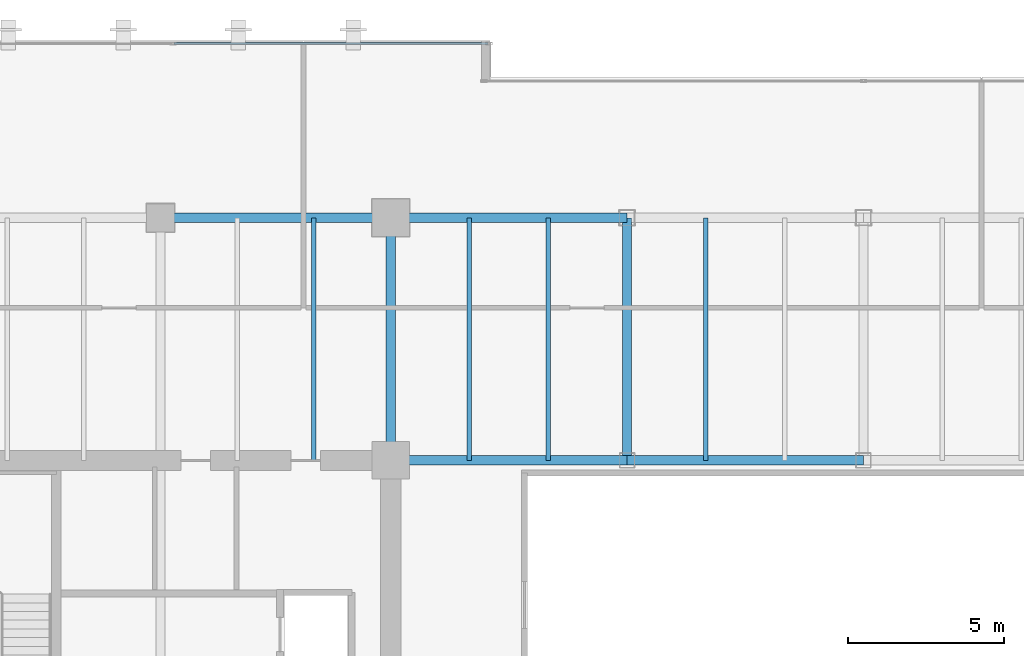
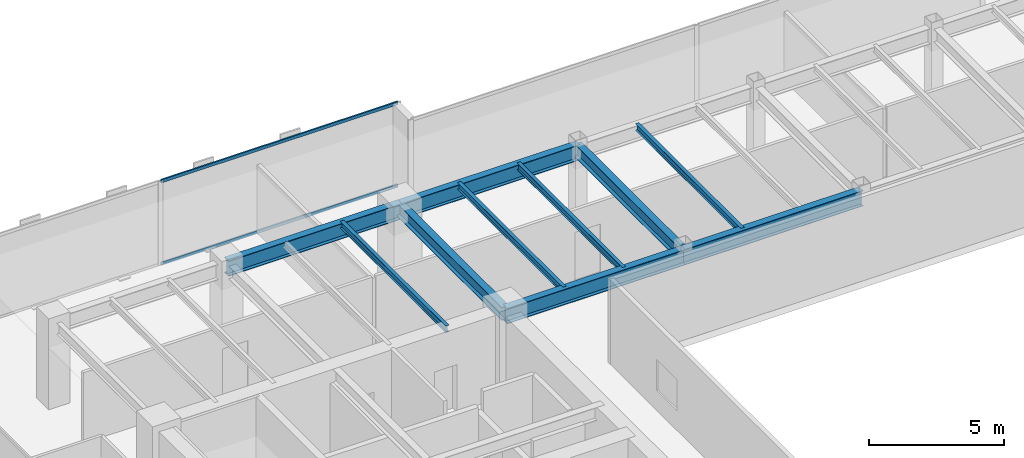
# One storey, part 15 of 34: 10 beams, 2 members, 1 element without a shape of its own.
"""IFC4 building model written with IfcOpenShell, lengths in metres."""

from ifc_helpers import new_model, si_unit, direction, frame, origin, origin_2d, place, context, subcontext, project, spatial, hollow_rectangle, i_section, extrude, source, transform, mapped, material, layer, layer_set, material_profile, profile_set, type_object, type_shapes, element, aggregate, save


model = new_model("IFC4")

# Units and contexts
model_context = context("Model", 3, precision=1e-05, world=origin(), true_north=direction((0.0, 1.0)))
body_context = subcontext(model_context, "Body", "Model", "MODEL_VIEW")
ifc_project = project(units=[si_unit("LENGTHUNIT", "METRE"), si_unit("AREAUNIT", "SQUARE_METRE"), si_unit("VOLUMEUNIT", "CUBIC_METRE"), si_unit("PLANEANGLEUNIT", "RADIAN"), si_unit("MASSUNIT", "GRAM", prefix="KILO")], contexts=[model_context])

# Site, building, storey
site_placement = place(None, origin())
site = spatial("IfcSite", under=ifc_project, at=site_placement, CompositionType="ELEMENT")
building_placement = place(site_placement, origin())
building = spatial("IfcBuilding", under=site, at=building_placement, Name="Haelvirn Gate Laboratories", CompositionType="ELEMENT")
storey_placement = place(building_placement, frame((0.0, 0.0, 158.39990234375)))
storey = spatial("IfcBuildingStorey", under=building, at=storey_placement, Name="L38", CompositionType="ELEMENT", Elevation=158.39990234375)

# Beams
ifc_material_1 = material(Name="Steel SM355", Category="steel")
ifc_material_profile_1 = material_profile(ifc_material_1, i_section(OverallWidth=0.300048828125, OverallDepth=0.699951171875, WebThickness=0.012939453125, FlangeThickness=0.02392578125, at=origin_2d()), Name="H-700x300x13x24")
ifc_profile_set_1 = profile_set([ifc_material_profile_1], Name="Steel SM355")
beam_type_1 = type_object("IfcBeamType", Name="BM-G-700", PredefinedType="BEAM", material=ifc_profile_set_1)
shared_shape_1 = source(origin(), body_context, "Body", "SweptSolid", [
    extrude(i_section(OverallWidth=0.300048828125, OverallDepth=0.699951171875, WebThickness=0.012939453125, FlangeThickness=0.02392578125, at=origin_2d()), origin(), (0.0, 0.0, 1.0), 7.39990234375),
])
beam_1_placement = place(storey_placement, frame((14.800048828125, 41.60009765625, 3.440185546875), z_axis=(1.0, 0.0, 0.0), x_axis=(0.0, 1.0, 0.0)))
element("IfcBeam", 1, at=beam_1_placement, inside=storey, type_object=beam_type_1, Name="L38 Primary Girder Y41.6 (14.8-22.2)", PredefinedType="BEAM", context=body_context, shape_type="MappedRepresentation", body=[
    mapped(shared_shape_1, transform((0.0, 0.0, 0.0), scale=1.0)),
])
shared_shape_2 = source(origin(), body_context, "Body", "SweptSolid", [
    extrude(i_section(OverallWidth=0.300048828125, OverallDepth=0.699951171875, WebThickness=0.012939453125, FlangeThickness=0.02392578125, at=origin_2d()), origin(), (0.0, 0.0, 1.0), 7.60009765625),
])
for number, where, z_axis, x_axis, name in (
    (2, (22.199951171875, 33.800048828125, 3.440185546875), (1.0, 0.0, 0.0), (0.0, 1.0, 0.0), "L38 Primary Girder Y33.8 (22.2-29.8)"),
    (3, (22.199951171875, 41.60009765625, 3.440185546875), (1.0, 0.0, 0.0), (0.0, 1.0, 0.0), "L38 Primary Girder Y41.6 (22.2-29.8)"),
):
    element("IfcBeam", number, at=place(storey_placement, frame(where, z_axis=z_axis, x_axis=x_axis)), inside=storey, type_object=beam_type_1, Name=name, PredefinedType="BEAM", context=body_context, shape_type="MappedRepresentation", body=[
        mapped(shared_shape_2, transform((0.0, 0.0, 0.0), scale=1.0)),
    ])
shared_shape_3 = source(origin(), body_context, "Body", "SweptSolid", [
    extrude(i_section(OverallWidth=0.300048828125, OverallDepth=0.699951171875, WebThickness=0.012939453125, FlangeThickness=0.02392578125, at=origin_2d()), origin(), (0.0, 0.0, 1.0), 7.599853515625),
])
type_shapes(beam_type_1, [shared_shape_1, shared_shape_2, shared_shape_3])
beam_2_placement = place(storey_placement, frame((29.800048828125, 33.800048828125, 3.440185546875), z_axis=(1.0, 0.0, 0.0), x_axis=(0.0, 1.0, 0.0)))
element("IfcBeam", 4, at=beam_2_placement, inside=storey, type_object=beam_type_1, Name="L38 Primary Girder Y33.8 (29.8-37.4)", PredefinedType="BEAM", context=body_context, shape_type="MappedRepresentation", body=[
    mapped(shared_shape_3, transform((0.0, 0.0, 0.0), scale=1.0)),
])
ifc_material_profile_2 = material_profile(ifc_material_1, i_section(OverallWidth=0.14990234375, OverallDepth=0.300048828125, WebThickness=0.006591796875, FlangeThickness=0.009033203125, at=origin_2d()), Name="H-300x150x6.5x9")
ifc_profile_set_2 = profile_set([ifc_material_profile_2], Name="Steel SM355")
beam_type_2 = type_object("IfcBeamType", Name="BM-J-300", PredefinedType="JOIST", material=ifc_profile_set_2)
shared_shape_4 = source(origin(), body_context, "Body", "SweptSolid", [
    extrude(i_section(OverallWidth=0.14990234375, OverallDepth=0.300048828125, WebThickness=0.006591796875, FlangeThickness=0.009033203125, at=origin_2d()), origin(), (0.0, 0.0, 1.0), 7.800048828125),
])
type_shapes(beam_type_2, [shared_shape_4])
for number, where, z_axis, x_axis, name in (
    (5, (19.72998046875, 33.800048828125, 3.64013671875), (0.0, 1.0, 0.0), (-1.0, 0.0, 0.0), "L38 Composite Lab Joist North X19.73"),
    (6, (24.72998046875, 33.800048828125, 3.64013671875), (0.0, 1.0, 0.0), (-1.0, 0.0, 0.0), "L38 Composite Lab Joist North X24.73"),
    (7, (27.27001953125, 33.800048828125, 3.64013671875), (0.0, 1.0, 0.0), (-1.0, 0.0, 0.0), "L38 Composite Lab Joist North X27.27"),
    (8, (32.330078125, 33.800048828125, 3.64013671875), (0.0, 1.0, 0.0), (-1.0, 0.0, 0.0), "L38 Composite Lab Joist North X32.33"),
):
    element("IfcBeam", number, at=place(storey_placement, frame(where, z_axis=z_axis, x_axis=x_axis)), inside=storey, type_object=beam_type_2, Name=name, PredefinedType="JOIST", context=body_context, shape_type="MappedRepresentation", body=[
        mapped(shared_shape_4, transform((0.0, 0.0, 0.0), scale=1.0)),
    ])
ifc_material_profile_3 = material_profile(ifc_material_1, i_section(OverallWidth=0.300048828125, OverallDepth=0.587890625, WebThickness=0.011962890625, FlangeThickness=0.02001953125, at=origin_2d()), Name="H-588x300x12x20")
ifc_profile_set_3 = profile_set([ifc_material_profile_3], Name="Steel SM355")
beam_type_3 = type_object("IfcBeamType", Name="BM-G-588", PredefinedType="BEAM", material=ifc_profile_set_3)
shared_shape_5 = source(origin(), body_context, "Body", "SweptSolid", [
    extrude(i_section(OverallWidth=0.300048828125, OverallDepth=0.587890625, WebThickness=0.011962890625, FlangeThickness=0.02001953125, at=origin_2d()), origin(), (0.0, 0.0, 1.0), 7.800048828125),
])
type_shapes(beam_type_3, [shared_shape_5])
for number, where, z_axis, x_axis, name in (
    (9, (22.199951171875, 33.800048828125, 3.49609375), (0.0, 1.0, 0.0), (-1.0, 0.0, 0.0), "L38 Frame Girder X22.2 (33.8-41.6)"),
    (10, (29.800048828125, 33.800048828125, 3.49609375), (0.0, 1.0, 0.0), (-1.0, 0.0, 0.0), "L38 Frame Girder X29.8 (33.8-41.6)"),
):
    element("IfcBeam", number, at=place(storey_placement, frame(where, z_axis=z_axis, x_axis=x_axis)), inside=storey, type_object=beam_type_3, Name=name, PredefinedType="BEAM", context=body_context, shape_type="MappedRepresentation", body=[
        mapped(shared_shape_5, transform((0.0, 0.0, 0.0), scale=1.0)),
    ])

# Curtain wall, members
ifc_material_2 = material(Name="Anodised bronze unitised aluminium & triple low-E glass", Category="aluminium")
ifc_layer = layer(ifc_material_2, 0.179931640625, Name="CW-SYS-3")
ifc_layer_set = layer_set([ifc_layer], Name="Anodised bronze unitised aluminium & triple low-E glass")
curtain_wall_type = type_object("IfcCurtainWallType", Name="CW-SYS-3", PredefinedType="NOTDEFINED", material=ifc_layer_set)
curtain_wall_placement = place(storey_placement, origin())
curtain_wall = element("IfcCurtainWall", 11, at=curtain_wall_placement, inside=storey, type_object=curtain_wall_type, Name="L38 Unitised Curtain Wall CW-L38-P0-E14-1", PredefinedType="NOTDEFINED")
ifc_material_3 = material(Name="Extruded aluminium 6063-T6 (anodised bronze)", Category="aluminium")
ifc_material_profile_4 = material_profile(ifc_material_3, hollow_rectangle(XDim=0.06494140625, YDim=0.139892578125, WallThickness=0.00390625, at=origin_2d()), Name="CWT-140x65x4")
ifc_profile_set_4 = profile_set([ifc_material_profile_4], Name="Extruded aluminium 6063-T6 (anodised bronze)")
member_type = type_object("IfcMemberType", Name="CWT-T140", PredefinedType="USERDEFINED", material=ifc_profile_set_4)
shared_shape_6 = source(origin(), body_context, "Body", "SweptSolid", [
    extrude(hollow_rectangle(XDim=0.06494140625, YDim=0.139892578125, WallThickness=0.00390625, at=origin_2d()), origin(), (0.0, 0.0, 1.0), 10.08740234375),
])
type_shapes(member_type, [shared_shape_6])
member_1_placement = place(storey_placement, frame((15.237548828125, 47.199951171875, 0.03271484375), z_axis=(1.0, 0.0, 0.0), x_axis=(0.0, 1.0, 0.0)))
member_1 = element("IfcMember", 12, at=member_1_placement, type_object=member_type, Name="CW3 transom 2.1", ObjectType="TRANSOM", PredefinedType="USERDEFINED", context=body_context, shape_type="MappedRepresentation", body=[
    mapped(shared_shape_6, transform((0.0, 0.0, 0.0), scale=1.0)),
])
member_2_placement = place(storey_placement, frame((15.237548828125, 47.199951171875, 3.757568359375), z_axis=(1.0, 0.0, 0.0), x_axis=(0.0, 1.0, 0.0)))
member_2 = element("IfcMember", 13, at=member_2_placement, type_object=member_type, Name="CW3 transom 2.2", ObjectType="TRANSOM", PredefinedType="USERDEFINED", context=body_context, shape_type="MappedRepresentation", body=[
    mapped(shared_shape_6, transform((0.0, 0.0, 0.0), scale=1.0)),
])
aggregate(curtain_wall, [member_1, member_2])

save(model, "model.ifc")
